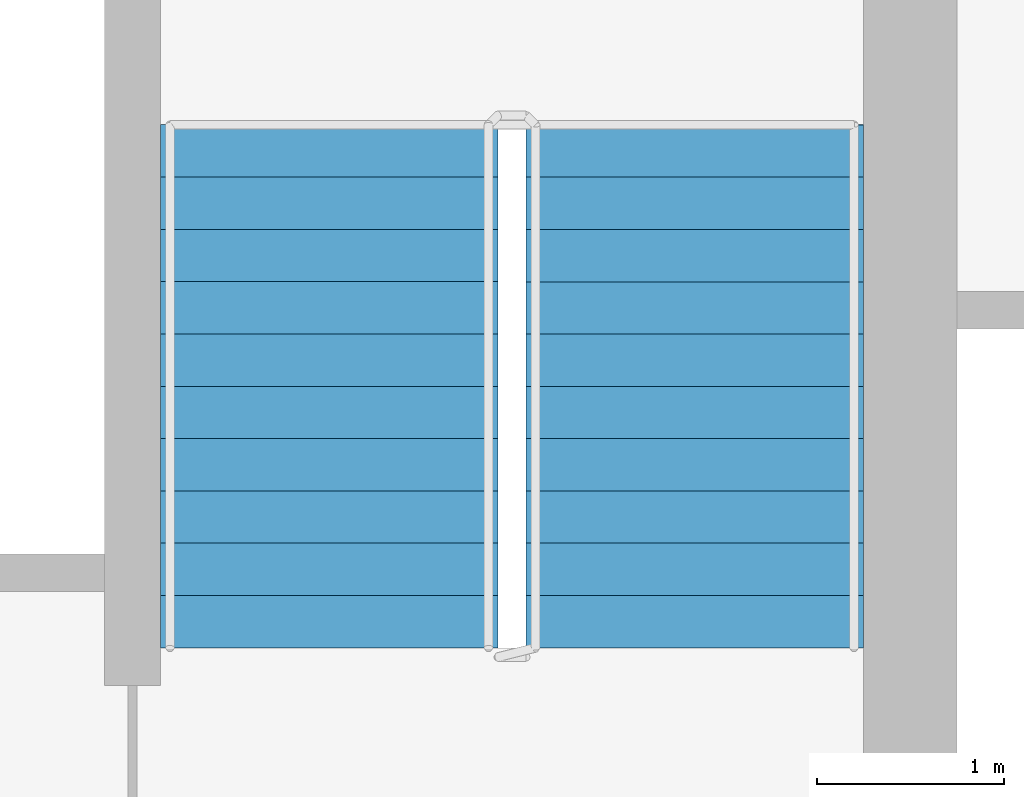
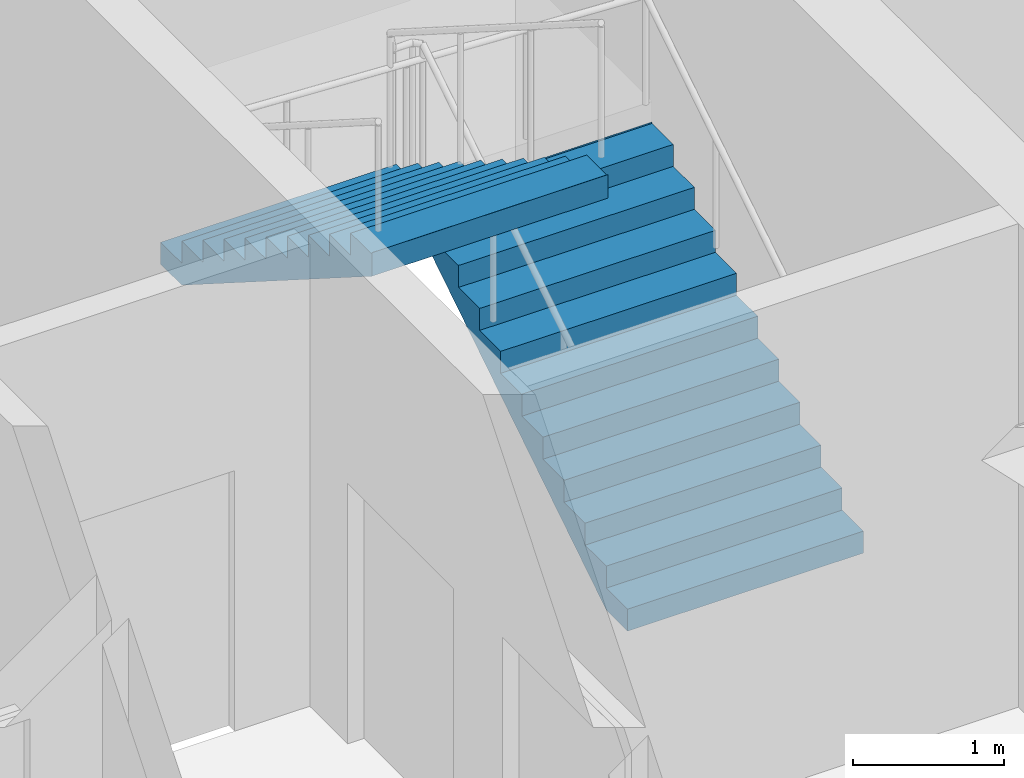
# One storey, part 9 of 10: 2 stair flights, 1 element without a shape of its own.
"""IFC4 building model written with IfcOpenShell, lengths in metres."""

from ifc_helpers import new_model, si_unit, direction, frame, origin, place, context, subcontext, project, spatial, faceted_brep, source, transform, mapped, material, type_object, element, aggregate, save


model = new_model("IFC4")

# Units and contexts
model_context = context("Model", 3, precision=1e-05, world=origin(), true_north=direction((0.0, 1.0)))
body_context = subcontext(model_context, "Body", "Model", "MODEL_VIEW")
ifc_project = project(units=[si_unit("LENGTHUNIT", "METRE"), si_unit("AREAUNIT", "SQUARE_METRE"), si_unit("VOLUMEUNIT", "CUBIC_METRE"), si_unit("PLANEANGLEUNIT", "RADIAN"), si_unit("MASSUNIT", "GRAM", prefix="KILO")], contexts=[model_context])

# Site, building, storey
site_placement = place(None, origin())
site = spatial("IfcSite", under=ifc_project, at=site_placement, CompositionType="ELEMENT")
building_placement = place(site_placement, origin())
building = spatial("IfcBuilding", under=site, at=building_placement, Name="Calabash Gate Tower", CompositionType="ELEMENT")
storey_placement = place(building_placement, frame((0.0, 0.0, 175.800048828125)))
storey = spatial("IfcBuildingStorey", under=building, at=storey_placement, Name="L41", CompositionType="ELEMENT", Elevation=175.800048828125)

# Stair, stair flights
ifc_material_1 = material(Name="Concrete C40/50", Category="concrete")
stair_type = type_object("IfcStairType", Name="Exit stair 22 risers of 177.3 mm", PredefinedType="HALF_TURN_STAIR", material=ifc_material_1)
stair_placement = place(storey_placement, origin())
stair = element("IfcStair", 1, at=stair_placement, inside=storey, type_object=stair_type, Name="L41 Exit stair ST3", PredefinedType="HALF_TURN_STAIR")
ifc_material_2 = material(Name="Concrete C40/50", Category="concrete")
stair_flight_type = type_object("IfcStairFlightType", Name="Exit stair flight SFL", PredefinedType="STRAIGHT", material=ifc_material_2)
shared_shape = source(origin(), body_context, "Body", "Brep", [
    faceted_brep([(-0.0009765625, -0.89990234375, 0.0), (0.279541015625, -0.89990234375, 0.0), (2.791015625, -0.89990234375, 1.59521484375), (-0.0009765625, 0.89990234375, 0.0), (2.791015625, 0.89990234375, 1.59521484375), (0.279541015625, 0.89990234375, 0.0), (2.791015625, -0.89990234375, 1.78466796875), (2.7900390625, -0.89990234375, 1.78466796875), (2.7900390625, 0.89990234375, 1.78466796875), (2.791015625, 0.89990234375, 1.78466796875), (2.7900390625, -0.89990234375, 1.772705078125), (2.7900390625, 0.89990234375, 1.772705078125), (2.510986328125, -0.89990234375, 1.772705078125), (2.510986328125, 0.89990234375, 1.772705078125), (2.510986328125, -0.89990234375, 1.595458984375), (2.510986328125, 0.89990234375, 1.595458984375), (2.23193359375, -0.89990234375, 1.595458984375), (2.23193359375, 0.89990234375, 1.595458984375), (2.23193359375, -0.89990234375, 1.418212890625), (2.23193359375, 0.89990234375, 1.418212890625), (1.952880859375, -0.89990234375, 1.418212890625), (1.952880859375, -0.89990234375, 1.240966796875), (1.952880859375, 0.89990234375, 1.240966796875), (1.952880859375, 0.89990234375, 1.418212890625), (1.674072265625, -0.89990234375, 1.240966796875), (1.674072265625, -0.89990234375, 1.063720703125), (1.674072265625, 0.89990234375, 1.063720703125), (1.674072265625, 0.89990234375, 1.240966796875), (1.39501953125, -0.89990234375, 1.063720703125), (1.39501953125, -0.89990234375, 0.886474609375), (1.39501953125, 0.89990234375, 0.886474609375), (1.39501953125, 0.89990234375, 1.063720703125), (1.115966796875, -0.89990234375, 0.886474609375), (1.115966796875, -0.89990234375, 0.708984375), (1.115966796875, 0.89990234375, 0.708984375), (1.115966796875, 0.89990234375, 0.886474609375), (0.8369140625, -0.89990234375, 0.708984375), (0.8369140625, -0.89990234375, 0.53173828125), (0.8369140625, 0.89990234375, 0.53173828125), (0.8369140625, 0.89990234375, 0.708984375), (0.55810546875, -0.89990234375, 0.53173828125), (0.55810546875, -0.89990234375, 0.3544921875), (0.55810546875, 0.89990234375, 0.3544921875), (0.55810546875, 0.89990234375, 0.53173828125), (0.279052734375, -0.89990234375, 0.3544921875), (0.279052734375, -0.89990234375, 0.17724609375), (0.279052734375, 0.89990234375, 0.17724609375), (0.279052734375, 0.89990234375, 0.3544921875), (-0.0009765625, -0.89990234375, 0.17724609375), (-0.0009765625, 0.89990234375, 0.17724609375), (0.279541015625, -0.360107421875, 0.0), (2.791015625, -0.360107421875, 1.59521484375), (0.279541015625, 0.0, 0.0), (2.791015625, 0.0, 1.59521484375), (0.279541015625, 0.360107421875, 0.0), (2.791015625, 0.360107421875, 1.59521484375), (2.791015625, -0.360107421875, 1.78466796875), (2.791015625, 0.0, 1.78466796875), (2.791015625, 0.360107421875, 1.78466796875), (2.7900390625, -0.360107421875, 1.78466796875), (2.7900390625, 0.0, 1.78466796875), (2.7900390625, 0.360107421875, 1.78466796875), (2.7900390625, -0.360107421875, 1.772705078125), (2.7900390625, 0.0, 1.772705078125), (2.7900390625, 0.360107421875, 1.772705078125), (2.510986328125, -0.360107421875, 1.772705078125), (2.510986328125, 0.0, 1.772705078125), (2.510986328125, 0.360107421875, 1.772705078125), (2.510986328125, -0.360107421875, 1.595458984375), (2.510986328125, 0.0, 1.595458984375), (2.510986328125, 0.360107421875, 1.595458984375), (2.23193359375, -0.360107421875, 1.595458984375), (2.23193359375, 0.0, 1.595458984375), (2.23193359375, 0.360107421875, 1.595458984375), (2.23193359375, -0.360107421875, 1.418212890625), (2.23193359375, 0.0, 1.418212890625), (2.23193359375, 0.360107421875, 1.418212890625), (1.952880859375, -0.360107421875, 1.418212890625), (1.952880859375, 0.0, 1.418212890625), (1.952880859375, 0.360107421875, 1.418212890625), (1.952880859375, -0.360107421875, 1.240966796875), (1.952880859375, 0.0, 1.240966796875), (1.952880859375, 0.360107421875, 1.240966796875), (1.674072265625, -0.360107421875, 1.240966796875), (1.674072265625, 0.0, 1.240966796875), (1.674072265625, 0.360107421875, 1.240966796875), (1.674072265625, -0.360107421875, 1.063720703125), (1.674072265625, 0.0, 1.063720703125), (1.674072265625, 0.360107421875, 1.063720703125), (1.39501953125, -0.360107421875, 1.063720703125), (1.39501953125, 0.0, 1.063720703125), (1.39501953125, 0.360107421875, 1.063720703125), (1.39501953125, -0.360107421875, 0.886474609375), (1.39501953125, 0.0, 0.886474609375), (1.39501953125, 0.360107421875, 0.886474609375), (1.115966796875, -0.360107421875, 0.886474609375), (1.115966796875, 0.0, 0.886474609375), (1.115966796875, 0.360107421875, 0.886474609375), (1.115966796875, -0.360107421875, 0.708984375), (1.115966796875, 0.0, 0.708984375), (1.115966796875, 0.360107421875, 0.708984375), (0.8369140625, -0.360107421875, 0.708984375), (0.8369140625, 0.0, 0.708984375), (0.8369140625, 0.360107421875, 0.708984375), (0.8369140625, -0.360107421875, 0.53173828125), (0.8369140625, 0.0, 0.53173828125), (0.8369140625, 0.360107421875, 0.53173828125), (0.55810546875, -0.360107421875, 0.53173828125), (0.55810546875, 0.0, 0.53173828125), (0.55810546875, 0.360107421875, 0.53173828125), (0.55810546875, -0.360107421875, 0.3544921875), (0.55810546875, 0.0, 0.3544921875), (0.55810546875, 0.360107421875, 0.3544921875), (0.279052734375, -0.360107421875, 0.3544921875), (0.279052734375, 0.0, 0.3544921875), (0.279052734375, 0.360107421875, 0.3544921875), (0.279052734375, -0.360107421875, 0.17724609375), (0.279052734375, 0.0, 0.17724609375), (0.279052734375, 0.360107421875, 0.17724609375), (-0.0009765625, -0.360107421875, 0.17724609375), (-0.0009765625, 0.0, 0.17724609375), (-0.0009765625, 0.360107421875, 0.17724609375), (-0.0009765625, -0.360107421875, 0.0), (-0.0009765625, 0.0, 0.0), (-0.0009765625, 0.360107421875, 0.0)], [[[0, 1, 2]], [[3, 4, 5]], [[2, 6, 7]], [[4, 8, 9]], [[2, 7, 10]], [[4, 11, 8]], [[2, 10, 12]], [[4, 13, 11]], [[2, 12, 14]], [[4, 15, 13]], [[2, 14, 16]], [[4, 17, 15]], [[2, 16, 18]], [[4, 19, 17]], [[18, 20, 21]], [[19, 22, 23]], [[2, 18, 21]], [[4, 22, 19]], [[21, 24, 25]], [[22, 26, 27]], [[2, 21, 25]], [[4, 26, 22]], [[25, 28, 29]], [[26, 30, 31]], [[2, 25, 29]], [[4, 30, 26]], [[29, 32, 33]], [[30, 34, 35]], [[2, 29, 33]], [[4, 34, 30]], [[33, 36, 37]], [[34, 38, 39]], [[2, 33, 37]], [[4, 38, 34]], [[37, 40, 41]], [[38, 42, 43]], [[2, 37, 41]], [[4, 42, 38]], [[41, 44, 45]], [[42, 46, 47]], [[2, 41, 45]], [[4, 46, 42]], [[0, 2, 45]], [[3, 46, 4]], [[45, 48, 0]], [[46, 3, 49]], [[1, 50, 2]], [[50, 51, 2]], [[50, 52, 51]], [[52, 53, 51]], [[52, 54, 55]], [[52, 55, 53]], [[54, 5, 4]], [[54, 4, 55]], [[2, 51, 6]], [[51, 56, 6]], [[51, 53, 56]], [[53, 57, 56]], [[53, 55, 58]], [[53, 58, 57]], [[55, 4, 9]], [[55, 9, 58]], [[6, 56, 7]], [[56, 59, 7]], [[56, 57, 59]], [[57, 60, 59]], [[57, 58, 61]], [[57, 61, 60]], [[58, 9, 8]], [[58, 8, 61]], [[7, 59, 10]], [[59, 62, 10]], [[59, 60, 62]], [[60, 63, 62]], [[60, 61, 64]], [[60, 64, 63]], [[61, 8, 11]], [[61, 11, 64]], [[10, 62, 12]], [[62, 65, 12]], [[62, 63, 65]], [[63, 66, 65]], [[63, 64, 67]], [[63, 67, 66]], [[64, 11, 13]], [[64, 13, 67]], [[12, 65, 14]], [[65, 68, 14]], [[65, 66, 68]], [[66, 69, 68]], [[66, 67, 70]], [[66, 70, 69]], [[67, 13, 15]], [[67, 15, 70]], [[14, 68, 16]], [[68, 71, 16]], [[68, 69, 71]], [[69, 72, 71]], [[69, 70, 73]], [[69, 73, 72]], [[70, 15, 17]], [[70, 17, 73]], [[16, 71, 18]], [[71, 74, 18]], [[71, 72, 74]], [[72, 75, 74]], [[72, 73, 76]], [[72, 76, 75]], [[73, 17, 19]], [[73, 19, 76]], [[18, 74, 20]], [[74, 77, 20]], [[74, 75, 77]], [[75, 78, 77]], [[75, 76, 79]], [[75, 79, 78]], [[76, 19, 23]], [[76, 23, 79]], [[20, 77, 21]], [[77, 80, 21]], [[77, 78, 80]], [[78, 81, 80]], [[78, 79, 82]], [[78, 82, 81]], [[79, 23, 22]], [[79, 22, 82]], [[21, 80, 24]], [[80, 83, 24]], [[80, 81, 83]], [[81, 84, 83]], [[81, 82, 85]], [[81, 85, 84]], [[82, 22, 27]], [[82, 27, 85]], [[24, 83, 25]], [[83, 86, 25]], [[83, 84, 86]], [[84, 87, 86]], [[84, 85, 88]], [[84, 88, 87]], [[85, 27, 26]], [[85, 26, 88]], [[25, 86, 28]], [[86, 89, 28]], [[86, 87, 89]], [[87, 90, 89]], [[87, 88, 91]], [[87, 91, 90]], [[88, 26, 31]], [[88, 31, 91]], [[28, 89, 29]], [[89, 92, 29]], [[89, 90, 92]], [[90, 93, 92]], [[90, 91, 94]], [[90, 94, 93]], [[91, 31, 30]], [[91, 30, 94]], [[29, 92, 32]], [[92, 95, 32]], [[92, 93, 95]], [[93, 96, 95]], [[93, 94, 97]], [[93, 97, 96]], [[94, 30, 35]], [[94, 35, 97]], [[32, 95, 33]], [[95, 98, 33]], [[95, 96, 98]], [[96, 99, 98]], [[96, 97, 100]], [[96, 100, 99]], [[97, 35, 34]], [[97, 34, 100]], [[33, 98, 36]], [[98, 101, 36]], [[98, 99, 101]], [[99, 102, 101]], [[99, 100, 103]], [[99, 103, 102]], [[100, 34, 39]], [[100, 39, 103]], [[36, 101, 37]], [[101, 104, 37]], [[101, 102, 104]], [[102, 105, 104]], [[102, 103, 106]], [[102, 106, 105]], [[103, 39, 38]], [[103, 38, 106]], [[37, 104, 40]], [[104, 107, 40]], [[104, 105, 107]], [[105, 108, 107]], [[105, 106, 109]], [[105, 109, 108]], [[106, 38, 43]], [[106, 43, 109]], [[40, 107, 41]], [[107, 110, 41]], [[107, 108, 110]], [[108, 111, 110]], [[108, 109, 112]], [[108, 112, 111]], [[109, 43, 42]], [[109, 42, 112]], [[41, 110, 44]], [[110, 113, 44]], [[110, 111, 113]], [[111, 114, 113]], [[111, 112, 115]], [[111, 115, 114]], [[112, 42, 47]], [[112, 47, 115]], [[44, 113, 45]], [[113, 116, 45]], [[113, 114, 116]], [[114, 117, 116]], [[114, 115, 118]], [[114, 118, 117]], [[115, 47, 46]], [[115, 46, 118]], [[45, 116, 48]], [[116, 119, 48]], [[116, 117, 119]], [[117, 120, 119]], [[117, 118, 121]], [[117, 121, 120]], [[118, 46, 49]], [[118, 49, 121]], [[48, 119, 0]], [[119, 122, 0]], [[119, 120, 122]], [[120, 123, 122]], [[120, 121, 124]], [[120, 124, 123]], [[121, 49, 3]], [[121, 3, 124]], [[0, 122, 1]], [[122, 50, 1]], [[122, 123, 50]], [[123, 52, 50]], [[123, 124, 54]], [[123, 54, 52]], [[124, 3, 5]], [[124, 5, 54]]]),
])
stair_flight_1_placement = place(storey_placement, frame((11.199951171875, 13.95263671875, 0.0), z_axis=(0.0, 0.0, 1.0), x_axis=(0.0, 1.0, 0.0)))
stair_flight_1 = element("IfcStairFlight", 2, at=stair_flight_1_placement, type_object=stair_flight_type, Name="ST3 flight 1", NumberOfRisers=11, NumberOfTreads=10, PredefinedType="STRAIGHT", RiserHeight=0.177272727, TreadLength=0.279, context=body_context, shape_type="MappedRepresentation", body=[
    mapped(shared_shape, transform((0.0, 0.0, 0.0), scale=1.0)),
])
stair_flight_2_placement = place(storey_placement, frame((9.25, 16.74267578125, 1.949951171875), z_axis=(0.0, 0.0, 1.0), x_axis=(0.0, -1.0, 0.0)))
stair_flight_2 = element("IfcStairFlight", 3, at=stair_flight_2_placement, type_object=stair_flight_type, Name="ST3 flight 2", NumberOfRisers=11, NumberOfTreads=10, PredefinedType="STRAIGHT", RiserHeight=0.177272727, TreadLength=0.279, context=body_context, shape_type="MappedRepresentation", body=[
    mapped(shared_shape, transform((0.0, 0.0, 0.0), scale=1.0)),
])
aggregate(stair, [stair_flight_1, stair_flight_2])

save(model, "model.ifc")
